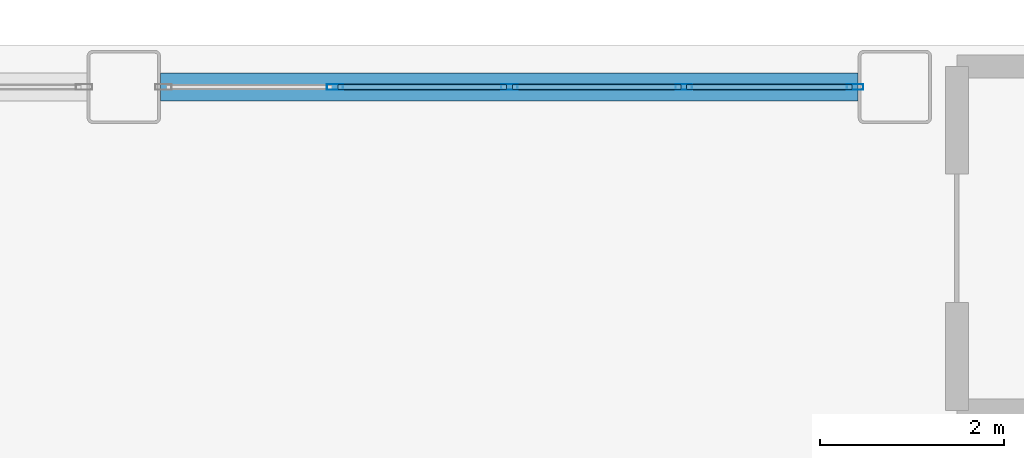
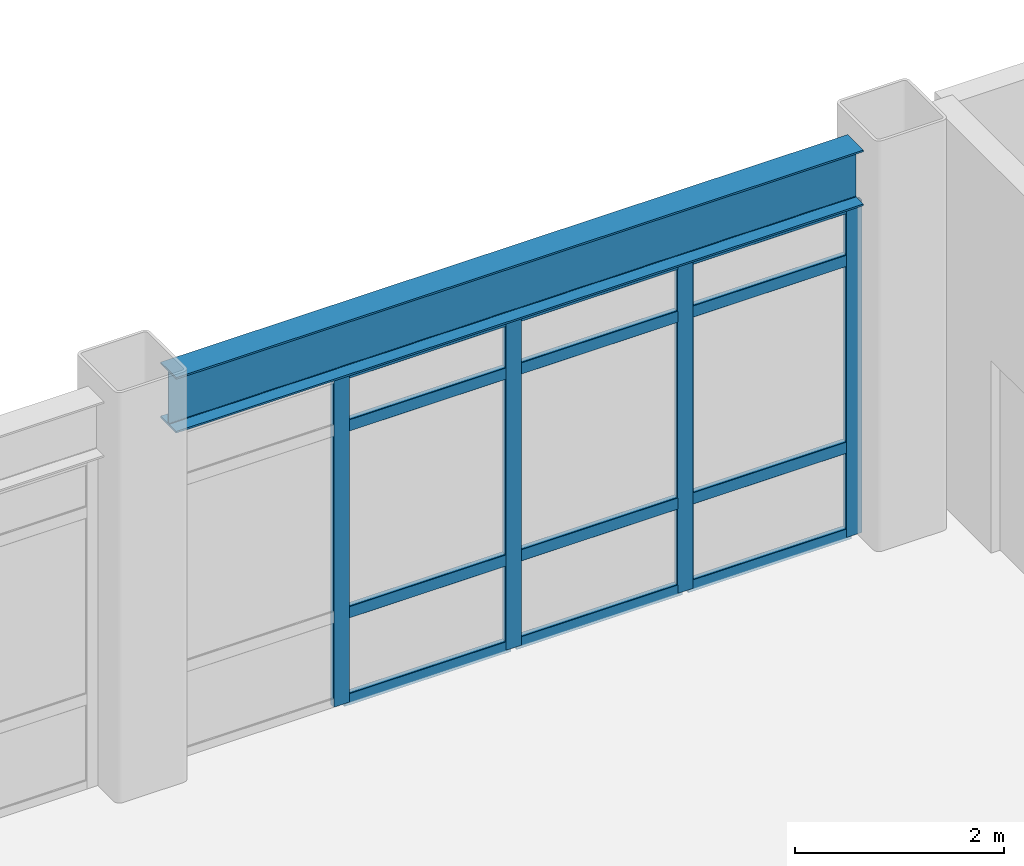
# One storey, part 72 of 154: 16 members, 1 beam, 1 element without a shape of its own.
"""IFC4 building model written with IfcOpenShell, lengths in metres."""

import ifcopenshell
import ifcopenshell.guid

model = None  # the IFC model being written
_history = None  # IfcOwnerHistory: only IFC2X3 demands one
_inside = {}  # id of a spatial element -> (the spatial element, [elements in it])
_under = {}  # id of a project, library or spatial element -> (it, [spatial elements below it])
_declared = {}  # id of a project -> (the project, [libraries it declares])
_typed = {}  # id of a type object -> (the type object, [elements of that type])
_made_of = {}  # id of a material, layer set ... -> (it, [elements and type objects made of it])


def new_model(schema):
    """Start an empty IFC model of exactly this schema.

    Asked for "IFC4X3", IfcOpenShell would pick the latest addendum, in which some entities
    have other attributes; the version numbers below select the first issue.
    IFC2X3 requires an IfcOwnerHistory on every rooted entity: one is made here for all.
    """
    global model, _history
    if schema == "IFC4X3":
        model = ifcopenshell.file(schema_version=(4, 3, 0, 0))
    else:
        model = ifcopenshell.file(schema=schema)
    _inside.clear()
    _under.clear()
    _declared.clear()
    _typed.clear()
    _made_of.clear()
    _history = None
    if model.schema == "IFC2X3":
        org = make("IfcOrganization", Name="unknown")
        user = make(
            "IfcPersonAndOrganization",
            ThePerson=make("IfcPerson", FamilyName="unknown"),
            TheOrganization=org,
        )
        app = make(
            "IfcApplication",
            ApplicationDeveloper=org,
            Version="unknown",
            ApplicationFullName="unknown",
            ApplicationIdentifier="unknown",
        )
        _history = make(
            "IfcOwnerHistory",
            OwningUser=user,
            OwningApplication=app,
            ChangeAction="ADDED",
            CreationDate=0,
        )
    return model


def make(cls, **values):
    """One entity of the class cls with the attributes given. An attribute that is None is left unset."""
    return model.create_entity(
        cls, **{name: value for name, value in values.items() if value is not None}
    )


def rooted(cls, **values):
    """An entity with a GlobalId (a new one), such as an element, a storey or a relation."""
    return make(cls, GlobalId=ifcopenshell.guid.new(), OwnerHistory=_history, **values)


def si_unit(unit_type, name, prefix=None):
    """IfcSIUnit, for example si_unit("LENGTHUNIT", "METRE", prefix="MILLI")."""
    return make("IfcSIUnit", UnitType=unit_type, Prefix=prefix, Name=name)


def assignment(units):
    """IfcUnitAssignment: the units of a project."""
    return None if units is None else make("IfcUnitAssignment", Units=units)


def point(xyz):
    """IfcCartesianPoint."""
    return None if xyz is None else make("IfcCartesianPoint", Coordinates=xyz)


def direction(xyz):
    """IfcDirection."""
    return None if xyz is None else make("IfcDirection", DirectionRatios=xyz)


def frame(location, z_axis=None, x_axis=None):
    """IfcAxis2Placement3D, a coordinate frame: its origin and axes. An axis left out is left unset."""
    return make(
        "IfcAxis2Placement3D",
        Location=point(location),
        Axis=direction(z_axis),
        RefDirection=direction(x_axis),
    )


def frame_2d(location, x_axis=None):
    """IfcAxis2Placement2D, a coordinate frame in the plane: its origin and x axis."""
    return make(
        "IfcAxis2Placement2D", Location=point(location), RefDirection=direction(x_axis)
    )


def origin():
    """The frame at (0, 0, 0) with its axes left unset."""
    return frame((0.0, 0.0, 0.0))


def origin_2d():
    """The frame at (0, 0) in the plane with its x axis left unset."""
    return frame_2d((0.0, 0.0))


def place(relative_to, where):
    """IfcLocalPlacement: puts the frame where relative to a parent placement (None: the world)."""
    return make(
        "IfcLocalPlacement", PlacementRelTo=relative_to, RelativePlacement=where
    )


def context(
    kind, dimensions, precision=None, world=None, true_north=None, identifier=None
):
    """IfcGeometricRepresentationContext, for example the 3D "Model" context."""
    return make(
        "IfcGeometricRepresentationContext",
        ContextIdentifier=identifier,
        ContextType=kind,
        CoordinateSpaceDimension=dimensions,
        Precision=precision,
        WorldCoordinateSystem=world,
        TrueNorth=true_north,
    )


def subcontext(parent, identifier, kind, view, scale=None):
    """IfcGeometricRepresentationSubContext, for example "Body" below "Model"."""
    return make(
        "IfcGeometricRepresentationSubContext",
        ContextIdentifier=identifier,
        ContextType=kind,
        ParentContext=parent,
        TargetScale=scale,
        TargetView=view,
    )


def project(units=None, contexts=None):
    """IfcProject with its units and contexts."""
    return rooted(
        "IfcProject",
        Name="project",
        RepresentationContexts=contexts,
        UnitsInContext=assignment(units),
    )


def spatial(cls, under=None, at=None, **own):
    """A site, building, storey or space (cls), placed at a placement, below another one or the project."""
    s = rooted(cls, ObjectPlacement=at, **own)
    if under is not None:
        _under.setdefault(under.id(), (under, []))[1].append(s)
    return s


def profile(cls, at=None, kind="AREA", **sizes):
    """A parametric profile (cls). Its sizes go by their IFC names, for example OverallWidth=200.0."""
    return make(cls, ProfileType=kind, Position=at, **sizes)


def hollow_rectangle(**sizes):
    """IfcRectangleHollowProfileDef."""
    return profile("IfcRectangleHollowProfileDef", **sizes)


def i_section(**sizes):
    """IfcIShapeProfileDef."""
    return profile("IfcIShapeProfileDef", **sizes)


def extrude(swept, where, along, depth):
    """IfcExtrudedAreaSolid: the profile swept, set in the frame where, extruded along a direction by depth."""
    return make(
        "IfcExtrudedAreaSolid",
        SweptArea=swept,
        Position=where,
        ExtrudedDirection=direction(along),
        Depth=depth,
    )


def shape(context_of_items, identifier, shape_type, items):
    """IfcShapeRepresentation: the items that make up one representation, for example the "Body"."""
    return make(
        "IfcShapeRepresentation",
        ContextOfItems=context_of_items,
        RepresentationIdentifier=identifier,
        RepresentationType=shape_type,
        Items=items,
    )


def material(Name=None, Category=None):
    """IfcMaterial."""
    return make("IfcMaterial", Name=Name, Category=Category)


def layer(
    of_material, thickness, ventilated=None, Name=None, Category=None, Priority=None
):
    """IfcMaterialLayer: one layer of a wall or slab, of a material (None: an air gap)."""
    return make(
        "IfcMaterialLayer",
        Material=of_material,
        LayerThickness=thickness,
        IsVentilated=ventilated,
        Name=Name,
        Category=Category,
        Priority=Priority,
    )


def layer_set(layers, Name=None):
    """IfcMaterialLayerSet."""
    return make("IfcMaterialLayerSet", MaterialLayers=layers, LayerSetName=Name)


def material_profile(
    of_material, cross_section, Name=None, Category=None, Priority=None
):
    """IfcMaterialProfile: a cross section and its material."""
    return make(
        "IfcMaterialProfile",
        Name=Name,
        Material=of_material,
        Profile=cross_section,
        Priority=Priority,
        Category=Category,
    )


def profile_set(profiles, Name=None, composite=None):
    """IfcMaterialProfileSet."""
    return make(
        "IfcMaterialProfileSet",
        Name=Name,
        MaterialProfiles=profiles,
        CompositeProfile=composite,
    )


def made_of(thing, what):
    """Note that an element or type object is made of a material, layer set ...; save() writes the relation."""
    if what is not None:
        _made_of.setdefault(what.id(), (what, []))[1].append(thing)
    return thing


def type_object(cls, material=None, **own):
    """A type object (cls), such as IfcWallType, which elements share."""
    return made_of(rooted(cls, **own), material)


def element(
    cls,
    number,
    at=None,
    inside=None,
    cuts=None,
    type_object=None,
    material=None,
    context=None,
    identifier="Body",
    shape_type=None,
    held_by="IfcProductDefinitionShape",
    body=None,
    shapes=None,
    **own,
):
    """One element of the class cls, such as IfcWall. Its Tag is "e" and its number.

    at: its placement. inside: the storey or other place that contains it. cuts: it is an
    opening in that element (IfcRelVoidsElement). A single representation is given by context,
    identifier, shape_type and body (its items); several are given by shapes. held_by: the class
    of the entity that holds the representations. save() writes the other relations.
    """
    e = rooted(cls, Tag="e%d" % number, ObjectPlacement=at, **own)
    if body is not None:
        shapes = [shape(context, identifier, shape_type, body)]
    if shapes is not None:
        e.Representation = make(held_by, Representations=shapes)
    if inside is not None:
        _inside.setdefault(inside.id(), (inside, []))[1].append(e)
    if cuts is not None:
        rooted(
            "IfcRelVoidsElement", RelatingBuildingElement=cuts, RelatedOpeningElement=e
        )
    if type_object is not None:
        _typed.setdefault(type_object.id(), (type_object, []))[1].append(e)
    return made_of(e, material)


def aggregate(whole, parts):
    """IfcRelAggregates: a whole, such as a stair, and the parts it consists of."""
    return rooted("IfcRelAggregates", RelatingObject=whole, RelatedObjects=parts)


def save(model, path):
    """Write the relations noted so far, then the file.

    IfcRelAggregates (storeys below a building ...), IfcRelContainedInSpatialStructure (elements
    in a storey), IfcRelDefinesByType, IfcRelAssociatesMaterial and IfcRelDeclares: one each for
    every whole, place, type object, material and project.
    """
    for whole, parts in _under.values():
        aggregate(whole, parts)
    for where, things in _inside.values():
        rooted(
            "IfcRelContainedInSpatialStructure",
            RelatedElements=things,
            RelatingStructure=where,
        )
    for kind, things in _typed.values():
        rooted("IfcRelDefinesByType", RelatedObjects=things, RelatingType=kind)
    for what, things in _made_of.values():
        rooted("IfcRelAssociatesMaterial", RelatedObjects=things, RelatingMaterial=what)
    for by, libraries in _declared.values():
        rooted("IfcRelDeclares", RelatingContext=by, RelatedDefinitions=libraries)
    model.write(path)


model = new_model("IFC4")

# Units and contexts
model_context = context("Model", 3, precision=1e-05, world=origin(), true_north=direction((0.0, 1.0)))
body_context = subcontext(model_context, "Body", "Model", "MODEL_VIEW")
ifc_project = project(units=[si_unit("LENGTHUNIT", "METRE"), si_unit("AREAUNIT", "SQUARE_METRE"), si_unit("VOLUMEUNIT", "CUBIC_METRE"), si_unit("PLANEANGLEUNIT", "RADIAN"), si_unit("MASSUNIT", "GRAM", prefix="KILO")], contexts=[model_context])

# Site, building, storey
site_placement = place(None, origin())
site = spatial("IfcSite", under=ifc_project, at=site_placement, CompositionType="ELEMENT")
building_placement = place(site_placement, origin())
building = spatial("IfcBuilding", under=site, at=building_placement, Name="Kazehara Bluff Congress Hotel", CompositionType="ELEMENT")
storey_placement = place(building_placement, frame((0.0, 0.0, 10.199951171875)))
storey = spatial("IfcBuildingStorey", under=building, at=storey_placement, Name="L02", CompositionType="ELEMENT", Elevation=10.199951171875)

# Curtain wall, members
ifc_material_1 = material(Name="Anodised aluminium", Category="aluminium")
ifc_layer = layer(ifc_material_1, 0.159912109375)
ifc_layer_set = layer_set([ifc_layer], Name="Anodised aluminium")
curtain_wall_type = type_object("IfcCurtainWallType", Name="TP-CW-10", PredefinedType="NOTDEFINED", material=ifc_layer_set)
curtain_wall_placement = place(storey_placement, origin())
curtain_wall = element("IfcCurtainWall", 1, at=curtain_wall_placement, inside=storey, type_object=curtain_wall_type, Name="L02 curtain wall CW-10 CW-V1-L02-Y11355-3400", PredefinedType="NOTDEFINED")
ifc_material_2 = material(Name="Anodised aluminium", Category="aluminium")
ifc_material_profile_1 = material_profile(ifc_material_2, hollow_rectangle(XDim=0.06494140625, YDim=0.179931640625, WallThickness=0.00390625, InnerFilletRadius=0.00390625, OuterFilletRadius=0.008056640625, at=origin_2d()))
ifc_profile_set_1 = profile_set([ifc_material_profile_1], Name="Anodised aluminium")
member_type_1 = type_object("IfcMemberType", Name="TP-CWM-02", PredefinedType="MULLION", material=ifc_profile_set_1)
member_1_placement = place(storey_placement, frame((35.89990234375, 113.550048828125, 0.0), z_axis=(0.0, 0.0, 1.0), x_axis=(0.0, 1.0, 0.0)))
member_1 = element("IfcMember", 2, at=member_1_placement, type_object=member_type_1, Name="CW-10 mullion 2", PredefinedType="MULLION", context=body_context, shape_type="SweptSolid", body=[
    extrude(hollow_rectangle(XDim=0.06494140625, YDim=0.179931640625, WallThickness=0.00390625, InnerFilletRadius=0.00390625, OuterFilletRadius=0.008056640625, at=origin_2d()), origin(), (0.0, 0.0, 1.0), 3.885009765625),
])
member_2_placement = place(storey_placement, frame((37.800048828125, 113.550048828125, 0.0), z_axis=(0.0, 0.0, 1.0), x_axis=(0.0, 1.0, 0.0)))
member_2 = element("IfcMember", 3, at=member_2_placement, type_object=member_type_1, Name="CW-10 mullion 3", PredefinedType="MULLION", context=body_context, shape_type="SweptSolid", body=[
    extrude(hollow_rectangle(XDim=0.06494140625, YDim=0.179931640625, WallThickness=0.00390625, InnerFilletRadius=0.00390625, OuterFilletRadius=0.008056640625, at=origin_2d()), origin(), (0.0, 0.0, 1.0), 3.885009765625),
])
member_3_placement = place(storey_placement, frame((39.699951171875, 113.550048828125, 0.0), z_axis=(0.0, 0.0, 1.0), x_axis=(0.0, 1.0, 0.0)))
member_3 = element("IfcMember", 4, at=member_3_placement, type_object=member_type_1, Name="CW-10 mullion 4", PredefinedType="MULLION", context=body_context, shape_type="SweptSolid", body=[
    extrude(hollow_rectangle(XDim=0.06494140625, YDim=0.179931640625, WallThickness=0.00390625, InnerFilletRadius=0.00390625, OuterFilletRadius=0.008056640625, at=origin_2d()), origin(), (0.0, 0.0, 1.0), 3.885009765625),
])
member_4_placement = place(storey_placement, frame((41.5673828125, 113.550048828125, 0.0), z_axis=(0.0, 0.0, 1.0), x_axis=(0.0, 1.0, 0.0)))
member_4 = element("IfcMember", 5, at=member_4_placement, type_object=member_type_1, Name="CW-10 mullion 5", PredefinedType="MULLION", context=body_context, shape_type="SweptSolid", body=[
    extrude(hollow_rectangle(XDim=0.06494140625, YDim=0.179931640625, WallThickness=0.00390625, InnerFilletRadius=0.00390625, OuterFilletRadius=0.008056640625, at=origin_2d()), origin(), (0.0, 0.0, 1.0), 3.885009765625),
])
ifc_material_3 = material(Name="Anodised aluminium", Category="aluminium")
ifc_material_profile_2 = material_profile(ifc_material_3, hollow_rectangle(XDim=0.06494140625, YDim=0.139892578125, WallThickness=0.00390625, InnerFilletRadius=0.00390625, OuterFilletRadius=0.008056640625, at=origin_2d()))
ifc_profile_set_2 = profile_set([ifc_material_profile_2], Name="Anodised aluminium")
member_type_2 = type_object("IfcMemberType", Name="TP-CWT-02", PredefinedType="USERDEFINED", material=ifc_profile_set_2)
member_5_placement = place(storey_placement, frame((35.9326171875, 113.550048828125, 0.032470703125), z_axis=(1.0, 0.0, 0.0), x_axis=(0.0, 1.0, 0.0)))
member_5 = element("IfcMember", 6, at=member_5_placement, type_object=member_type_2, Name="CW-10 transom 2.1", ObjectType="TRANSOM", PredefinedType="USERDEFINED", context=body_context, shape_type="SweptSolid", body=[
    extrude(hollow_rectangle(XDim=0.06494140625, YDim=0.139892578125, WallThickness=0.00390625, InnerFilletRadius=0.00390625, OuterFilletRadius=0.008056640625, at=origin_2d()), origin(), (0.0, 0.0, 1.0), 1.8349609375),
])
member_6_placement = place(storey_placement, frame((35.9326171875, 113.550048828125, 1.050048828125), z_axis=(1.0, 0.0, 0.0), x_axis=(0.0, 1.0, 0.0)))
member_6 = element("IfcMember", 7, at=member_6_placement, type_object=member_type_2, Name="CW-10 transom 2.2", ObjectType="TRANSOM", PredefinedType="USERDEFINED", context=body_context, shape_type="SweptSolid", body=[
    extrude(hollow_rectangle(XDim=0.06494140625, YDim=0.139892578125, WallThickness=0.00390625, InnerFilletRadius=0.00390625, OuterFilletRadius=0.008056640625, at=origin_2d()), origin(), (0.0, 0.0, 1.0), 1.8349609375),
])
member_7_placement = place(storey_placement, frame((35.9326171875, 113.550048828125, 3.235107421875), z_axis=(1.0, 0.0, 0.0), x_axis=(0.0, 1.0, 0.0)))
member_7 = element("IfcMember", 8, at=member_7_placement, type_object=member_type_2, Name="CW-10 transom 2.3", ObjectType="TRANSOM", PredefinedType="USERDEFINED", context=body_context, shape_type="SweptSolid", body=[
    extrude(hollow_rectangle(XDim=0.06494140625, YDim=0.139892578125, WallThickness=0.00390625, InnerFilletRadius=0.00390625, OuterFilletRadius=0.008056640625, at=origin_2d()), origin(), (0.0, 0.0, 1.0), 1.8349609375),
])
member_8_placement = place(storey_placement, frame((35.9326171875, 113.550048828125, 3.8525390625), z_axis=(1.0, 0.0, 0.0), x_axis=(0.0, 1.0, 0.0)))
member_8 = element("IfcMember", 9, at=member_8_placement, type_object=member_type_2, Name="CW-10 transom 2.4", ObjectType="TRANSOM", PredefinedType="USERDEFINED", context=body_context, shape_type="SweptSolid", body=[
    extrude(hollow_rectangle(XDim=0.06494140625, YDim=0.139892578125, WallThickness=0.00390625, InnerFilletRadius=0.00390625, OuterFilletRadius=0.008056640625, at=origin_2d()), origin(), (0.0, 0.0, 1.0), 1.8349609375),
])
member_9_placement = place(storey_placement, frame((37.83251953125, 113.550048828125, 0.032470703125), z_axis=(1.0, 0.0, 0.0), x_axis=(0.0, 1.0, 0.0)))
member_9 = element("IfcMember", 10, at=member_9_placement, type_object=member_type_2, Name="CW-10 transom 3.1", ObjectType="TRANSOM", PredefinedType="USERDEFINED", context=body_context, shape_type="SweptSolid", body=[
    extrude(hollow_rectangle(XDim=0.06494140625, YDim=0.139892578125, WallThickness=0.00390625, InnerFilletRadius=0.00390625, OuterFilletRadius=0.008056640625, at=origin_2d()), origin(), (0.0, 0.0, 1.0), 1.8349609375),
])
member_10_placement = place(storey_placement, frame((37.83251953125, 113.550048828125, 1.050048828125), z_axis=(1.0, 0.0, 0.0), x_axis=(0.0, 1.0, 0.0)))
member_10 = element("IfcMember", 11, at=member_10_placement, type_object=member_type_2, Name="CW-10 transom 3.2", ObjectType="TRANSOM", PredefinedType="USERDEFINED", context=body_context, shape_type="SweptSolid", body=[
    extrude(hollow_rectangle(XDim=0.06494140625, YDim=0.139892578125, WallThickness=0.00390625, InnerFilletRadius=0.00390625, OuterFilletRadius=0.008056640625, at=origin_2d()), origin(), (0.0, 0.0, 1.0), 1.8349609375),
])
member_11_placement = place(storey_placement, frame((37.83251953125, 113.550048828125, 3.235107421875), z_axis=(1.0, 0.0, 0.0), x_axis=(0.0, 1.0, 0.0)))
member_11 = element("IfcMember", 12, at=member_11_placement, type_object=member_type_2, Name="CW-10 transom 3.3", ObjectType="TRANSOM", PredefinedType="USERDEFINED", context=body_context, shape_type="SweptSolid", body=[
    extrude(hollow_rectangle(XDim=0.06494140625, YDim=0.139892578125, WallThickness=0.00390625, InnerFilletRadius=0.00390625, OuterFilletRadius=0.008056640625, at=origin_2d()), origin(), (0.0, 0.0, 1.0), 1.8349609375),
])
member_12_placement = place(storey_placement, frame((37.83251953125, 113.550048828125, 3.8525390625), z_axis=(1.0, 0.0, 0.0), x_axis=(0.0, 1.0, 0.0)))
member_12 = element("IfcMember", 13, at=member_12_placement, type_object=member_type_2, Name="CW-10 transom 3.4", ObjectType="TRANSOM", PredefinedType="USERDEFINED", context=body_context, shape_type="SweptSolid", body=[
    extrude(hollow_rectangle(XDim=0.06494140625, YDim=0.139892578125, WallThickness=0.00390625, InnerFilletRadius=0.00390625, OuterFilletRadius=0.008056640625, at=origin_2d()), origin(), (0.0, 0.0, 1.0), 1.8349609375),
])
member_13_placement = place(storey_placement, frame((39.732421875, 113.550048828125, 0.032470703125), z_axis=(1.0, 0.0, 0.0), x_axis=(0.0, 1.0, 0.0)))
member_13 = element("IfcMember", 14, at=member_13_placement, type_object=member_type_2, Name="CW-10 transom 4.1", ObjectType="TRANSOM", PredefinedType="USERDEFINED", context=body_context, shape_type="SweptSolid", body=[
    extrude(hollow_rectangle(XDim=0.06494140625, YDim=0.139892578125, WallThickness=0.00390625, InnerFilletRadius=0.00390625, OuterFilletRadius=0.008056640625, at=origin_2d()), origin(), (0.0, 0.0, 1.0), 1.802490234375),
])
member_14_placement = place(storey_placement, frame((39.732421875, 113.550048828125, 1.050048828125), z_axis=(1.0, 0.0, 0.0), x_axis=(0.0, 1.0, 0.0)))
member_14 = element("IfcMember", 15, at=member_14_placement, type_object=member_type_2, Name="CW-10 transom 4.2", ObjectType="TRANSOM", PredefinedType="USERDEFINED", context=body_context, shape_type="SweptSolid", body=[
    extrude(hollow_rectangle(XDim=0.06494140625, YDim=0.139892578125, WallThickness=0.00390625, InnerFilletRadius=0.00390625, OuterFilletRadius=0.008056640625, at=origin_2d()), origin(), (0.0, 0.0, 1.0), 1.802490234375),
])
member_15_placement = place(storey_placement, frame((39.732421875, 113.550048828125, 3.235107421875), z_axis=(1.0, 0.0, 0.0), x_axis=(0.0, 1.0, 0.0)))
member_15 = element("IfcMember", 16, at=member_15_placement, type_object=member_type_2, Name="CW-10 transom 4.3", ObjectType="TRANSOM", PredefinedType="USERDEFINED", context=body_context, shape_type="SweptSolid", body=[
    extrude(hollow_rectangle(XDim=0.06494140625, YDim=0.139892578125, WallThickness=0.00390625, InnerFilletRadius=0.00390625, OuterFilletRadius=0.008056640625, at=origin_2d()), origin(), (0.0, 0.0, 1.0), 1.802490234375),
])
member_16_placement = place(storey_placement, frame((39.732421875, 113.550048828125, 3.8525390625), z_axis=(1.0, 0.0, 0.0), x_axis=(0.0, 1.0, 0.0)))
member_16 = element("IfcMember", 17, at=member_16_placement, type_object=member_type_2, Name="CW-10 transom 4.4", ObjectType="TRANSOM", PredefinedType="USERDEFINED", context=body_context, shape_type="SweptSolid", body=[
    extrude(hollow_rectangle(XDim=0.06494140625, YDim=0.139892578125, WallThickness=0.00390625, InnerFilletRadius=0.00390625, OuterFilletRadius=0.008056640625, at=origin_2d()), origin(), (0.0, 0.0, 1.0), 1.802490234375),
])
aggregate(curtain_wall, [member_1, member_2, member_3, member_4, member_5, member_6, member_7, member_8, member_9, member_10, member_11, member_12, member_13, member_14, member_15, member_16])

# Beam
ifc_material_4 = material(Name="Steel SN490B", Category="steel")
ifc_material_profile_3 = material_profile(ifc_material_4, i_section(OverallWidth=0.300048828125, OverallDepth=0.64990234375, WebThickness=0.011962890625, FlangeThickness=0.02001953125, FilletRadius=0.012939453125, at=origin_2d()))
ifc_profile_set_3 = profile_set([ifc_material_profile_3], Name="Steel SN490B")
beam_type = type_object("IfcBeamType", Name="TP-G-03", PredefinedType="BEAM", material=ifc_profile_set_3)
beam_placement = place(storey_placement, frame((34.0, 113.550048828125, 4.235107421875), z_axis=(1.0, 0.0, 0.0), x_axis=(0.0, 1.0, 0.0)))
element("IfcBeam", 18, at=beam_placement, inside=storey, type_object=beam_type, Name="L02 girder G-03 40", PredefinedType="BEAM", context=body_context, shape_type="SweptSolid", body=[
    extrude(i_section(OverallWidth=0.300048828125, OverallDepth=0.64990234375, WebThickness=0.011962890625, FlangeThickness=0.02001953125, FilletRadius=0.012939453125, at=origin_2d()), origin(), (0.0, 0.0, 1.0), 7.60009765625),
])

save(model, "model.ifc")
